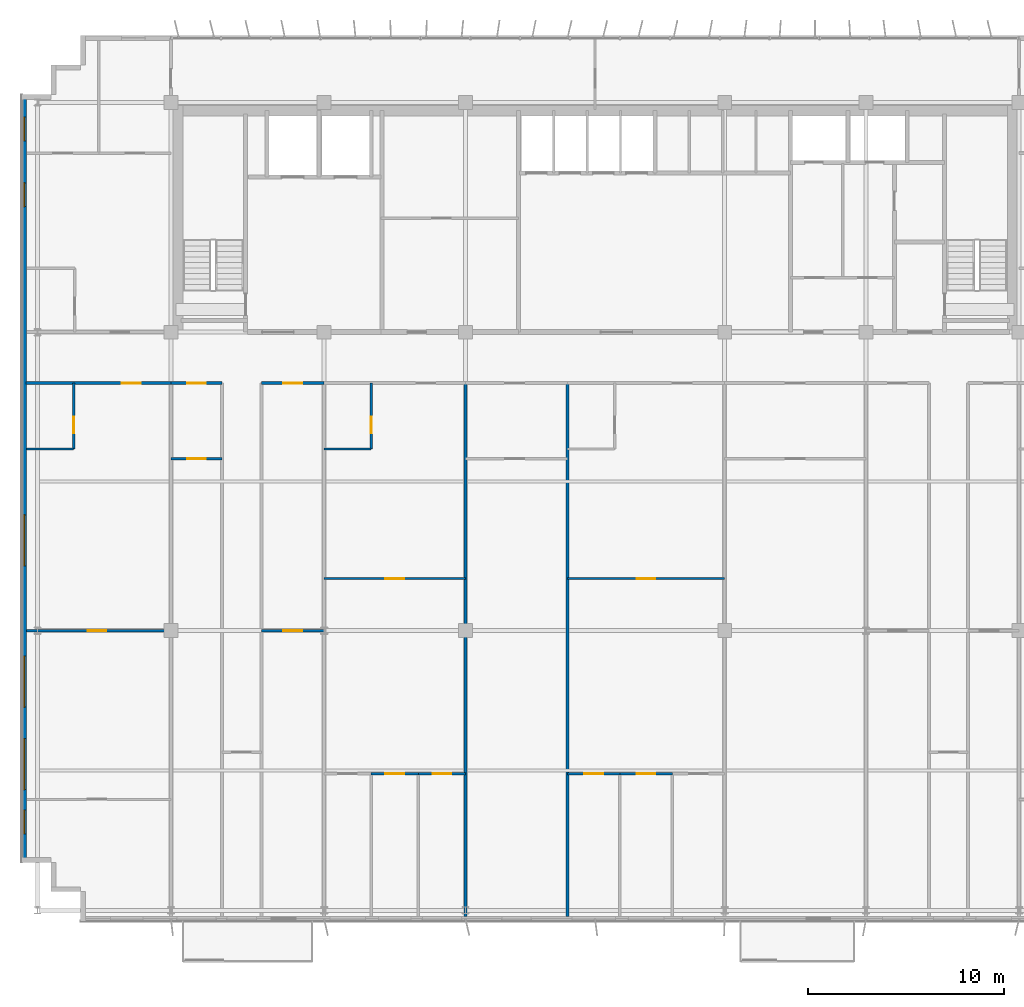
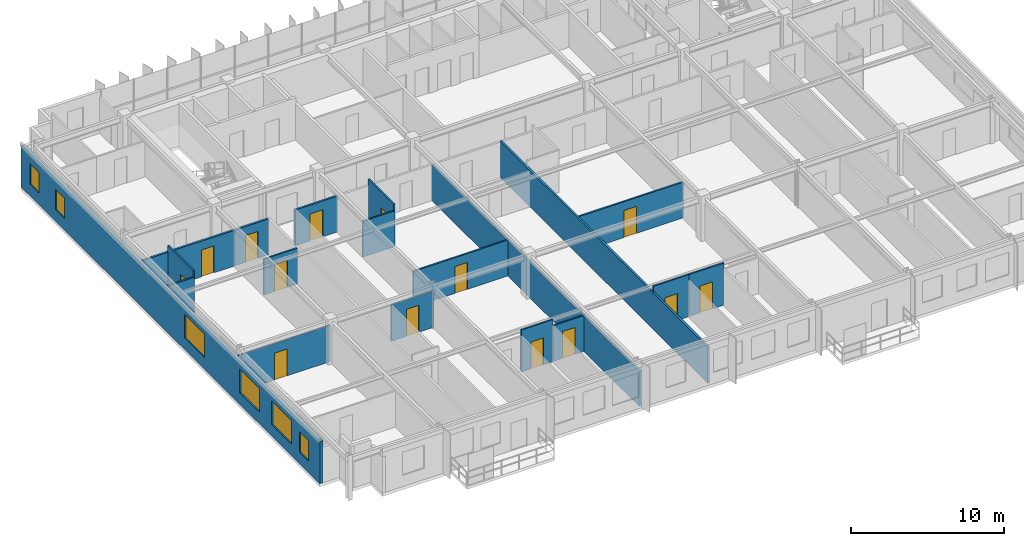
# One storey, part 17 of 23: 19 walls, 14 doors, 6 windows, 20 openings.
"""IFC4 building model written with IfcOpenShell, lengths in metres."""

import ifcopenshell
import ifcopenshell.guid

model = None  # the IFC model being written
_history = None  # IfcOwnerHistory: only IFC2X3 demands one
_inside = {}  # id of a spatial element -> (the spatial element, [elements in it])
_under = {}  # id of a project, library or spatial element -> (it, [spatial elements below it])
_declared = {}  # id of a project -> (the project, [libraries it declares])
_typed = {}  # id of a type object -> (the type object, [elements of that type])
_made_of = {}  # id of a material, layer set ... -> (it, [elements and type objects made of it])


def new_model(schema):
    """Start an empty IFC model of exactly this schema.

    Asked for "IFC4X3", IfcOpenShell would pick the latest addendum, in which some entities
    have other attributes; the version numbers below select the first issue.
    IFC2X3 requires an IfcOwnerHistory on every rooted entity: one is made here for all.
    """
    global model, _history
    if schema == "IFC4X3":
        model = ifcopenshell.file(schema_version=(4, 3, 0, 0))
    else:
        model = ifcopenshell.file(schema=schema)
    _inside.clear()
    _under.clear()
    _declared.clear()
    _typed.clear()
    _made_of.clear()
    _history = None
    if model.schema == "IFC2X3":
        org = make("IfcOrganization", Name="unknown")
        user = make(
            "IfcPersonAndOrganization",
            ThePerson=make("IfcPerson", FamilyName="unknown"),
            TheOrganization=org,
        )
        app = make(
            "IfcApplication",
            ApplicationDeveloper=org,
            Version="unknown",
            ApplicationFullName="unknown",
            ApplicationIdentifier="unknown",
        )
        _history = make(
            "IfcOwnerHistory",
            OwningUser=user,
            OwningApplication=app,
            ChangeAction="ADDED",
            CreationDate=0,
        )
    return model


def make(cls, **values):
    """One entity of the class cls with the attributes given. An attribute that is None is left unset."""
    return model.create_entity(
        cls, **{name: value for name, value in values.items() if value is not None}
    )


def rooted(cls, **values):
    """An entity with a GlobalId (a new one), such as an element, a storey or a relation."""
    return make(cls, GlobalId=ifcopenshell.guid.new(), OwnerHistory=_history, **values)


def si_unit(unit_type, name, prefix=None):
    """IfcSIUnit, for example si_unit("LENGTHUNIT", "METRE", prefix="MILLI")."""
    return make("IfcSIUnit", UnitType=unit_type, Prefix=prefix, Name=name)


def assignment(units):
    """IfcUnitAssignment: the units of a project."""
    return None if units is None else make("IfcUnitAssignment", Units=units)


def point(xyz):
    """IfcCartesianPoint."""
    return None if xyz is None else make("IfcCartesianPoint", Coordinates=xyz)


def direction(xyz):
    """IfcDirection."""
    return None if xyz is None else make("IfcDirection", DirectionRatios=xyz)


def frame(location, z_axis=None, x_axis=None):
    """IfcAxis2Placement3D, a coordinate frame: its origin and axes. An axis left out is left unset."""
    return make(
        "IfcAxis2Placement3D",
        Location=point(location),
        Axis=direction(z_axis),
        RefDirection=direction(x_axis),
    )


def frame_2d(location, x_axis=None):
    """IfcAxis2Placement2D, a coordinate frame in the plane: its origin and x axis."""
    return make(
        "IfcAxis2Placement2D", Location=point(location), RefDirection=direction(x_axis)
    )


def origin():
    """The frame at (0, 0, 0) with its axes left unset."""
    return frame((0.0, 0.0, 0.0))


def place(relative_to, where):
    """IfcLocalPlacement: puts the frame where relative to a parent placement (None: the world)."""
    return make(
        "IfcLocalPlacement", PlacementRelTo=relative_to, RelativePlacement=where
    )


def context(
    kind, dimensions, precision=None, world=None, true_north=None, identifier=None
):
    """IfcGeometricRepresentationContext, for example the 3D "Model" context."""
    return make(
        "IfcGeometricRepresentationContext",
        ContextIdentifier=identifier,
        ContextType=kind,
        CoordinateSpaceDimension=dimensions,
        Precision=precision,
        WorldCoordinateSystem=world,
        TrueNorth=true_north,
    )


def subcontext(parent, identifier, kind, view, scale=None):
    """IfcGeometricRepresentationSubContext, for example "Body" below "Model"."""
    return make(
        "IfcGeometricRepresentationSubContext",
        ContextIdentifier=identifier,
        ContextType=kind,
        ParentContext=parent,
        TargetScale=scale,
        TargetView=view,
    )


def project(units=None, contexts=None):
    """IfcProject with its units and contexts."""
    return rooted(
        "IfcProject",
        Name="project",
        RepresentationContexts=contexts,
        UnitsInContext=assignment(units),
    )


def spatial(cls, under=None, at=None, **own):
    """A site, building, storey or space (cls), placed at a placement, below another one or the project."""
    s = rooted(cls, ObjectPlacement=at, **own)
    if under is not None:
        _under.setdefault(under.id(), (under, []))[1].append(s)
    return s


def profile(cls, at=None, kind="AREA", **sizes):
    """A parametric profile (cls). Its sizes go by their IFC names, for example OverallWidth=200.0."""
    return make(cls, ProfileType=kind, Position=at, **sizes)


def rectangle(**sizes):
    """IfcRectangleProfileDef."""
    return profile("IfcRectangleProfileDef", **sizes)


def extrude(swept, where, along, depth):
    """IfcExtrudedAreaSolid: the profile swept, set in the frame where, extruded along a direction by depth."""
    return make(
        "IfcExtrudedAreaSolid",
        SweptArea=swept,
        Position=where,
        ExtrudedDirection=direction(along),
        Depth=depth,
    )


def shape(context_of_items, identifier, shape_type, items):
    """IfcShapeRepresentation: the items that make up one representation, for example the "Body"."""
    return make(
        "IfcShapeRepresentation",
        ContextOfItems=context_of_items,
        RepresentationIdentifier=identifier,
        RepresentationType=shape_type,
        Items=items,
    )


def source(mapping_origin, context_of_items, identifier, shape_type, items):
    """IfcRepresentationMap: a shape defined once, which mapped items show again and again."""
    return make(
        "IfcRepresentationMap",
        MappingOrigin=mapping_origin,
        MappedRepresentation=shape(context_of_items, identifier, shape_type, items),
    )


def transform(
    local_origin,
    x_axis=None,
    y_axis=None,
    z_axis=None,
    scale=None,
    scale2=None,
    scale3=None,
    uniform=True,
):
    """IfcCartesianTransformationOperator3D, or its non-uniform kind. x_axis, y_axis, z_axis: its Axis1, 2, 3."""
    if uniform:
        return make(
            "IfcCartesianTransformationOperator3D",
            Axis1=direction(x_axis),
            Axis2=direction(y_axis),
            LocalOrigin=point(local_origin),
            Scale=scale,
            Axis3=direction(z_axis),
        )
    return make(
        "IfcCartesianTransformationOperator3DnonUniform",
        Axis1=direction(x_axis),
        Axis2=direction(y_axis),
        LocalOrigin=point(local_origin),
        Scale=scale,
        Axis3=direction(z_axis),
        Scale2=scale2,
        Scale3=scale3,
    )


def mapped(mapping_source, mapping_target):
    """IfcMappedItem: shows the shape of a source again, moved by a transform."""
    return make(
        "IfcMappedItem", MappingSource=mapping_source, MappingTarget=mapping_target
    )


def material(Name=None, Category=None):
    """IfcMaterial."""
    return make("IfcMaterial", Name=Name, Category=Category)


def layer(
    of_material, thickness, ventilated=None, Name=None, Category=None, Priority=None
):
    """IfcMaterialLayer: one layer of a wall or slab, of a material (None: an air gap)."""
    return make(
        "IfcMaterialLayer",
        Material=of_material,
        LayerThickness=thickness,
        IsVentilated=ventilated,
        Name=Name,
        Category=Category,
        Priority=Priority,
    )


def layer_set(layers, Name=None):
    """IfcMaterialLayerSet."""
    return make("IfcMaterialLayerSet", MaterialLayers=layers, LayerSetName=Name)


def made_of(thing, what):
    """Note that an element or type object is made of a material, layer set ...; save() writes the relation."""
    if what is not None:
        _made_of.setdefault(what.id(), (what, []))[1].append(thing)
    return thing


def type_object(cls, material=None, **own):
    """A type object (cls), such as IfcWallType, which elements share."""
    return made_of(rooted(cls, **own), material)


def element(
    cls,
    number,
    at=None,
    inside=None,
    cuts=None,
    type_object=None,
    material=None,
    context=None,
    identifier="Body",
    shape_type=None,
    held_by="IfcProductDefinitionShape",
    body=None,
    shapes=None,
    **own,
):
    """One element of the class cls, such as IfcWall. Its Tag is "e" and its number.

    at: its placement. inside: the storey or other place that contains it. cuts: it is an
    opening in that element (IfcRelVoidsElement). A single representation is given by context,
    identifier, shape_type and body (its items); several are given by shapes. held_by: the class
    of the entity that holds the representations. save() writes the other relations.
    """
    e = rooted(cls, Tag="e%d" % number, ObjectPlacement=at, **own)
    if body is not None:
        shapes = [shape(context, identifier, shape_type, body)]
    if shapes is not None:
        e.Representation = make(held_by, Representations=shapes)
    if inside is not None:
        _inside.setdefault(inside.id(), (inside, []))[1].append(e)
    if cuts is not None:
        rooted(
            "IfcRelVoidsElement", RelatingBuildingElement=cuts, RelatedOpeningElement=e
        )
    if type_object is not None:
        _typed.setdefault(type_object.id(), (type_object, []))[1].append(e)
    return made_of(e, material)


def fill(opening, filler):
    """IfcRelFillsElement: the door or window that sits in an opening."""
    return rooted(
        "IfcRelFillsElement",
        RelatingOpeningElement=opening,
        RelatedBuildingElement=filler,
    )


def aggregate(whole, parts):
    """IfcRelAggregates: a whole, such as a stair, and the parts it consists of."""
    return rooted("IfcRelAggregates", RelatingObject=whole, RelatedObjects=parts)


def save(model, path):
    """Write the relations noted so far, then the file.

    IfcRelAggregates (storeys below a building ...), IfcRelContainedInSpatialStructure (elements
    in a storey), IfcRelDefinesByType, IfcRelAssociatesMaterial and IfcRelDeclares: one each for
    every whole, place, type object, material and project.
    """
    for whole, parts in _under.values():
        aggregate(whole, parts)
    for where, things in _inside.values():
        rooted(
            "IfcRelContainedInSpatialStructure",
            RelatedElements=things,
            RelatingStructure=where,
        )
    for kind, things in _typed.values():
        rooted("IfcRelDefinesByType", RelatedObjects=things, RelatingType=kind)
    for what, things in _made_of.values():
        rooted("IfcRelAssociatesMaterial", RelatedObjects=things, RelatingMaterial=what)
    for by, libraries in _declared.values():
        rooted("IfcRelDeclares", RelatingContext=by, RelatedDefinitions=libraries)
    model.write(path)


model = new_model("IFC4")

# Units and contexts
model_context = context("Model", 3, precision=1e-05, world=origin(), true_north=direction((0.0, 1.0)))
body_context = subcontext(model_context, "Body", "Model", "MODEL_VIEW")
ifc_project = project(units=[si_unit("LENGTHUNIT", "METRE"), si_unit("AREAUNIT", "SQUARE_METRE"), si_unit("VOLUMEUNIT", "CUBIC_METRE"), si_unit("PLANEANGLEUNIT", "RADIAN"), si_unit("MASSUNIT", "GRAM", prefix="KILO")], contexts=[model_context])

# Site, building, storey
site_placement = place(None, origin())
site = spatial("IfcSite", under=ifc_project, at=site_placement, CompositionType="ELEMENT")
building_placement = place(site_placement, origin())
building = spatial("IfcBuilding", under=site, at=building_placement, Name="Trelvane Seafront Commons", CompositionType="ELEMENT")
storey_placement = place(building_placement, frame((0.0, 0.0, 208.5)))
storey = spatial("IfcBuildingStorey", under=building, at=storey_placement, Name="L54", CompositionType="ELEMENT", Elevation=208.5)

# Wall, openings, windows
ifc_material_1 = material(Name="Precast concrete C40/50", Category="concrete")
ifc_layer_1 = layer(ifc_material_1, 0.239990234375, Name="ARCH-WALL-EXT240")
ifc_layer_set_1 = layer_set([ifc_layer_1], Name="Precast concrete C40/50")
wall_type_1 = type_object("IfcWallType", Name="ARCH-WALL-EXT240", PredefinedType="SOLIDWALL", material=ifc_layer_set_1)
wall_1_placement = place(storey_placement, frame((8.1201171875, 6.39990234375, 0.0), z_axis=(0.0, 0.0, 1.0), x_axis=(0.0, 1.0, 0.0)))
wall_1 = element("IfcWall", 1, at=wall_1_placement, inside=storey, type_object=wall_type_1, Name="EW-L54-01083", PredefinedType="SOLIDWALL", context=body_context, shape_type="SweptSolid", body=[
    extrude(rectangle(XDim=39.10009765625, YDim=0.239990234375, at=frame_2d((19.550048828125, 0.0))), origin(), (0.0, 0.0, 1.0), 3.360107421875),
])
opening_1_placement = place(wall_1_placement, frame((1.449951171875, 0.0, 0.919921875)))
opening_1 = element("IfcOpeningElement", 2, at=opening_1_placement, cuts=wall_1, Name="Opening W05", PredefinedType="OPENING", context=body_context, shape_type="SweptSolid", body=[
    extrude(rectangle(XDim=1.199951171875, YDim=1.64990234375, at=frame_2d((0.60009765625, 0.824951171875))), frame((0.0, 0.1298828125, 0.0), z_axis=(0.0, -1.0, 0.0), x_axis=(1.0, 0.0, 0.0)), (0.0, 0.0, 1.0), 0.260009765625),
])
opening_2_placement = place(wall_1_placement, frame((3.699951171875, 0.0, 0.919921875)))
opening_2 = element("IfcOpeningElement", 3, at=opening_2_placement, cuts=wall_1, Name="Opening W04", PredefinedType="OPENING", context=body_context, shape_type="SweptSolid", body=[
    extrude(rectangle(XDim=2.60009765625, YDim=1.89990234375, at=frame_2d((1.300048828125, 0.949951171875))), frame((0.0, 0.1298828125, 0.0), z_axis=(0.0, -1.0, 0.0), x_axis=(1.0, 0.0, 0.0)), (0.0, 0.0, 1.0), 0.260009765625),
])
opening_3_placement = place(wall_1_placement, frame((7.89990234375, 0.0, 0.919921875)))
opening_3 = element("IfcOpeningElement", 4, at=opening_3_placement, cuts=wall_1, Name="Opening W04", PredefinedType="OPENING", context=body_context, shape_type="SweptSolid", body=[
    extrude(rectangle(XDim=2.60009765625, YDim=1.89990234375, at=frame_2d((1.300048828125, 0.949951171875))), frame((0.0, 0.1298828125, 0.0), z_axis=(0.0, -1.0, 0.0), x_axis=(1.0, 0.0, 0.0)), (0.0, 0.0, 1.0), 0.260009765625),
])
opening_4_placement = place(wall_1_placement, frame((15.10009765625, 0.0, 0.919921875)))
opening_4 = element("IfcOpeningElement", 5, at=opening_4_placement, cuts=wall_1, Name="Opening W04", PredefinedType="OPENING", context=body_context, shape_type="SweptSolid", body=[
    extrude(rectangle(XDim=2.60009765625, YDim=1.89990234375, at=frame_2d((1.300048828125, 0.949951171875))), frame((0.0, 0.1298828125, 0.0), z_axis=(0.0, -1.0, 0.0), x_axis=(1.0, 0.0, 0.0)), (0.0, 0.0, 1.0), 0.260009765625),
])
opening_5_placement = place(wall_1_placement, frame((33.39990234375, 0.0, 0.919921875)))
opening_5 = element("IfcOpeningElement", 6, at=opening_5_placement, cuts=wall_1, Name="Opening W05", PredefinedType="OPENING", context=body_context, shape_type="SweptSolid", body=[
    extrude(rectangle(XDim=1.199951171875, YDim=1.64990234375, at=frame_2d((0.60009765625, 0.824951171875))), frame((0.0, 0.1298828125, 0.0), z_axis=(0.0, -1.0, 0.0), x_axis=(1.0, 0.0, 0.0)), (0.0, 0.0, 1.0), 0.260009765625),
])
opening_6_placement = place(wall_1_placement, frame((36.75, 0.0, 0.919921875)))
opening_6 = element("IfcOpeningElement", 7, at=opening_6_placement, cuts=wall_1, Name="Opening W05", PredefinedType="OPENING", context=body_context, shape_type="SweptSolid", body=[
    extrude(rectangle(XDim=1.199951171875, YDim=1.64990234375, at=frame_2d((0.60009765625, 0.824951171875))), frame((0.0, 0.1298828125, 0.0), z_axis=(0.0, -1.0, 0.0), x_axis=(1.0, 0.0, 0.0)), (0.0, 0.0, 1.0), 0.260009765625),
])
ifc_material_2 = material(Name="Low-E coastal double glazing", Category="glass")
window_type_1 = type_object("IfcWindowType", Name="ARCH-WIN-W04", PartitioningType="SINGLE_PANEL", PredefinedType="WINDOW", material=ifc_material_2)
shared_shape_1 = source(origin(), body_context, "Body", "SweptSolid", [
    extrude(rectangle(XDim=2.60009765625, YDim=1.89990234375, at=frame_2d((1.300048828125, 0.949951171875))), frame((0.0, 0.030029296875, 0.0), z_axis=(0.0, -1.0, 0.0), x_axis=(1.0, 0.0, 0.0)), (0.0, 0.0, 1.0), 0.06005859375),
])
window_1_placement = place(opening_2_placement, origin())
window_1 = element("IfcWindow", 8, at=window_1_placement, inside=storey, type_object=window_type_1, Name="WIN-L54-EW-01303", OverallHeight=1.89990234375, OverallWidth=2.60009765625, PartitioningType="SINGLE_PANEL", PredefinedType="WINDOW", context=body_context, shape_type="MappedRepresentation", body=[
    mapped(shared_shape_1, transform((0.0, 0.0, 0.0), x_axis=(1.0, 0.0, 0.0), y_axis=(0.0, 1.0, 0.0), z_axis=(0.0, 0.0, 1.0), scale=1.0)),
])
fill(opening_2, window_1)
window_2_placement = place(opening_3_placement, origin())
window_2 = element("IfcWindow", 9, at=window_2_placement, inside=storey, type_object=window_type_1, Name="WIN-L54-EW-01304", OverallHeight=1.89990234375, OverallWidth=2.60009765625, PartitioningType="SINGLE_PANEL", PredefinedType="WINDOW", context=body_context, shape_type="MappedRepresentation", body=[
    mapped(shared_shape_1, transform((0.0, 0.0, 0.0), x_axis=(1.0, 0.0, 0.0), y_axis=(0.0, 1.0, 0.0), z_axis=(0.0, 0.0, 1.0), scale=1.0)),
])
fill(opening_3, window_2)
window_3_placement = place(opening_4_placement, origin())
window_3 = element("IfcWindow", 10, at=window_3_placement, inside=storey, type_object=window_type_1, Name="WIN-L54-EW-01305", OverallHeight=1.89990234375, OverallWidth=2.60009765625, PartitioningType="SINGLE_PANEL", PredefinedType="WINDOW", context=body_context, shape_type="MappedRepresentation", body=[
    mapped(shared_shape_1, transform((0.0, 0.0, 0.0), x_axis=(1.0, 0.0, 0.0), y_axis=(0.0, 1.0, 0.0), z_axis=(0.0, 0.0, 1.0), scale=1.0)),
])
fill(opening_4, window_3)
window_type_2 = type_object("IfcWindowType", Name="ARCH-WIN-W05", PartitioningType="SINGLE_PANEL", PredefinedType="WINDOW", material=ifc_material_2)
shared_shape_2 = source(origin(), body_context, "Body", "SweptSolid", [
    extrude(rectangle(XDim=1.199951171875, YDim=1.64990234375, at=frame_2d((0.60009765625, 0.824951171875))), frame((0.0, 0.030029296875, 0.0), z_axis=(0.0, -1.0, 0.0), x_axis=(1.0, 0.0, 0.0)), (0.0, 0.0, 1.0), 0.06005859375),
])
window_4_placement = place(opening_1_placement, origin())
window_4 = element("IfcWindow", 11, at=window_4_placement, inside=storey, type_object=window_type_2, Name="WIN-L54-EW-01302", OverallHeight=1.64990234375, OverallWidth=1.199951171875, PartitioningType="SINGLE_PANEL", PredefinedType="WINDOW", context=body_context, shape_type="MappedRepresentation", body=[
    mapped(shared_shape_2, transform((0.0, 0.0, 0.0), x_axis=(1.0, 0.0, 0.0), y_axis=(0.0, 1.0, 0.0), z_axis=(0.0, 0.0, 1.0), scale=1.0)),
])
fill(opening_1, window_4)
window_5_placement = place(opening_5_placement, origin())
window_5 = element("IfcWindow", 12, at=window_5_placement, inside=storey, type_object=window_type_2, Name="WIN-L54-EW-01306", OverallHeight=1.64990234375, OverallWidth=1.199951171875, PartitioningType="SINGLE_PANEL", PredefinedType="WINDOW", context=body_context, shape_type="MappedRepresentation", body=[
    mapped(shared_shape_2, transform((0.0, 0.0, 0.0), x_axis=(1.0, 0.0, 0.0), y_axis=(0.0, 1.0, 0.0), z_axis=(0.0, 0.0, 1.0), scale=1.0)),
])
fill(opening_5, window_5)
window_6_placement = place(opening_6_placement, origin())
window_6 = element("IfcWindow", 13, at=window_6_placement, inside=storey, type_object=window_type_2, Name="WIN-L54-EW-01307", OverallHeight=1.64990234375, OverallWidth=1.199951171875, PartitioningType="SINGLE_PANEL", PredefinedType="WINDOW", context=body_context, shape_type="MappedRepresentation", body=[
    mapped(shared_shape_2, transform((0.0, 0.0, 0.0), x_axis=(1.0, 0.0, 0.0), y_axis=(0.0, 1.0, 0.0), z_axis=(0.0, 0.0, 1.0), scale=1.0)),
])
fill(opening_6, window_6)

# Wall, opening, door
ifc_material_3 = material(Name="Gypsum Drywall Acoustic Partition")
ifc_layer_2 = layer(ifc_material_3, 0.1201171875, Name="ARCH-WALL-PART120")
ifc_layer_set_2 = layer_set([ifc_layer_2], Name="Gypsum Drywall Acoustic Partition")
wall_type_2 = type_object("IfcWallType", Name="ARCH-WALL-PART120", PredefinedType="PARTITIONING", material=ifc_layer_set_2)
wall_2_placement = place(storey_placement, frame((8.239990234375, 18.199951171875, 0.0), z_axis=(0.0, 0.0, 1.0), x_axis=(1.0, 0.0, 0.0)))
wall_2 = element("IfcWall", 14, at=wall_2_placement, inside=storey, type_object=wall_type_2, Name="W-L54-U1-KL-058", PredefinedType="PARTITIONING", context=body_context, shape_type="SweptSolid", body=[
    extrude(rectangle(XDim=7.360107421875, YDim=0.1201171875, at=frame_2d((3.68017578125, 0.0))), origin(), (0.0, 0.0, 1.0), 2.909912109375),
])
opening_7_placement = place(wall_2_placement, frame((3.114013671875, 0.0, 0.0)))
opening_7 = element("IfcOpeningElement", 15, at=opening_7_placement, cuts=wall_2, Name="Opening D-L54-31", PredefinedType="OPENING", context=body_context, shape_type="SweptSolid", body=[
    extrude(rectangle(XDim=0.949951171875, YDim=2.14990234375, at=frame_2d((0.47509765625, 1.074951171875))), frame((0.0, 0.070068359375, 0.0), z_axis=(0.0, -1.0, 0.0), x_axis=(1.0, 0.0, 0.0)), (0.0, 0.0, 1.0), 0.14013671875),
])
ifc_material_4 = material(Name="Acoustic timber door leaf", Category="wood")
door_type_1 = type_object("IfcDoorType", Name="ARCH-DR-INT950", OperationType="NOTDEFINED", PredefinedType="DOOR", material=ifc_material_4)
shared_shape_3 = source(origin(), body_context, "Body", "SweptSolid", [
    extrude(rectangle(XDim=0.949951171875, YDim=2.14990234375, at=frame_2d((0.47509765625, 1.074951171875))), frame((0.0, 0.02490234375, 0.0), z_axis=(0.0, -1.0, 0.0), x_axis=(1.0, 0.0, 0.0)), (0.0, 0.0, 1.0), 0.050048828125),
])
door_1_placement = place(opening_7_placement, origin())
door_1 = element("IfcDoor", 16, at=door_1_placement, inside=storey, type_object=door_type_1, Name="L54 Door 31", OperationType="SINGLE_SWING_LEFT", OverallHeight=2.14990234375, OverallWidth=0.949951171875, PredefinedType="DOOR", context=body_context, shape_type="MappedRepresentation", body=[
    mapped(shared_shape_3, transform((0.0, 0.0, 0.0), x_axis=(1.0, 0.0, 0.0), y_axis=(0.0, 1.0, 0.0), z_axis=(0.0, 0.0, 1.0), scale=1.0)),
])
fill(opening_7, door_1)

wall_3_placement = place(storey_placement, frame((10.639892578125, 27.449951171875, 0.0), z_axis=(0.0, 0.0, 1.0), x_axis=(0.0, 1.0, 0.0)))
wall_3 = element("IfcWall", 17, at=wall_3_placement, inside=storey, type_object=wall_type_2, Name="W-L54-U1-BE-059", PredefinedType="PARTITIONING", context=body_context, shape_type="SweptSolid", body=[
    extrude(rectangle(XDim=3.35009765625, YDim=0.1201171875, at=frame_2d((1.675048828125, 0.0))), origin(), (0.0, 0.0, 1.0), 3.360107421875),
])
opening_8_placement = place(wall_3_placement, frame((0.800048828125, 0.0, 0.0)))
opening_8 = element("IfcOpeningElement", 18, at=opening_8_placement, cuts=wall_3, Name="Opening D-L54-32", PredefinedType="OPENING", context=body_context, shape_type="SweptSolid", body=[
    extrude(rectangle(XDim=0.85009765625, YDim=2.10009765625, at=frame_2d((0.425048828125, 1.050048828125))), frame((0.0, 0.070068359375, 0.0), z_axis=(0.0, -1.0, 0.0), x_axis=(1.0, 0.0, 0.0)), (0.0, 0.0, 1.0), 0.14013671875),
])
door_type_2 = type_object("IfcDoorType", Name="ARCH-DR-INT850", OperationType="NOTDEFINED", PredefinedType="DOOR", material=ifc_material_4)
shared_shape_4 = source(origin(), body_context, "Body", "SweptSolid", [
    extrude(rectangle(XDim=0.85009765625, YDim=2.10009765625, at=frame_2d((0.425048828125, 1.050048828125))), frame((0.0, 0.02490234375, 0.0), z_axis=(0.0, -1.0, 0.0), x_axis=(1.0, 0.0, 0.0)), (0.0, 0.0, 1.0), 0.050048828125),
])
door_2_placement = place(opening_8_placement, origin())
door_2 = element("IfcDoor", 19, at=door_2_placement, inside=storey, type_object=door_type_2, Name="L54 Door 32", OperationType="SINGLE_SWING_RIGHT", OverallHeight=2.10009765625, OverallWidth=0.85009765625, PredefinedType="DOOR", context=body_context, shape_type="MappedRepresentation", body=[
    mapped(shared_shape_4, transform((0.0, 0.0, 0.0), x_axis=(1.0, 0.0, 0.0), y_axis=(0.0, 1.0, 0.0), z_axis=(0.0, 0.0, 1.0), scale=1.0)),
])
fill(opening_8, door_2)

# Wall
wall_4_placement = place(storey_placement, frame((8.239990234375, 27.449951171875, 0.0), z_axis=(0.0, 0.0, 1.0), x_axis=(1.0, 0.0, 0.0)))
element("IfcWall", 20, at=wall_4_placement, inside=storey, type_object=wall_type_2, Name="W-L54-U1-BS-060", PredefinedType="PARTITIONING", context=body_context, shape_type="SweptSolid", body=[
    extrude(rectangle(XDim=2.39990234375, YDim=0.1201171875, at=frame_2d((1.199951171875, 0.0))), origin(), (0.0, 0.0, 1.0), 2.860107421875),
])

# Wall, opening, door
wall_5_placement = place(storey_placement, frame((15.60009765625, 26.949951171875, 0.0), z_axis=(0.0, 0.0, 1.0), x_axis=(1.0, 0.0, 0.0)))
wall_5 = element("IfcWall", 21, at=wall_5_placement, inside=storey, type_object=wall_type_2, Name="W-L54-U2-DIV-064", PredefinedType="PARTITIONING", context=body_context, shape_type="SweptSolid", body=[
    extrude(rectangle(XDim=2.599853515625, YDim=0.1201171875, at=frame_2d((1.2998046875, 0.0))), origin(), (0.0, 0.0, 1.0), 2.860107421875),
])
opening_9_placement = place(wall_5_placement, frame((0.824951171875, 0.0, 0.0)))
opening_9 = element("IfcOpeningElement", 22, at=opening_9_placement, cuts=wall_5, Name="Opening D-L54-36", PredefinedType="OPENING", context=body_context, shape_type="SweptSolid", body=[
    extrude(rectangle(XDim=0.949951171875, YDim=2.14990234375, at=frame_2d((0.47509765625, 1.074951171875))), frame((0.0, 0.070068359375, 0.0), z_axis=(0.0, -1.0, 0.0), x_axis=(1.0, 0.0, 0.0)), (0.0, 0.0, 1.0), 0.14013671875),
])
door_3_placement = place(opening_9_placement, origin())
door_3 = element("IfcDoor", 23, at=door_3_placement, inside=storey, type_object=door_type_1, Name="L54 Door 36", OperationType="SINGLE_SWING_RIGHT", OverallHeight=2.14990234375, OverallWidth=0.949951171875, PredefinedType="DOOR", context=body_context, shape_type="MappedRepresentation", body=[
    mapped(shared_shape_3, transform((0.0, 0.0, 0.0), x_axis=(1.0, 0.0, 0.0), y_axis=(0.0, 1.0, 0.0), z_axis=(0.0, 0.0, 1.0), scale=1.0)),
])
fill(opening_9, door_3)

wall_6_placement = place(storey_placement, frame((20.199951171875, 18.199951171875, 0.0), z_axis=(0.0, 0.0, 1.0), x_axis=(1.0, 0.0, 0.0)))
wall_6 = element("IfcWall", 24, at=wall_6_placement, inside=storey, type_object=wall_type_2, Name="W-L54-U4-DIV-069", PredefinedType="PARTITIONING", context=body_context, shape_type="SweptSolid", body=[
    extrude(rectangle(XDim=3.199951171875, YDim=0.1201171875, at=frame_2d((1.60009765625, 0.0))), origin(), (0.0, 0.0, 1.0), 2.909912109375),
])
opening_10_placement = place(wall_6_placement, frame((1.125, 0.0, 0.0)))
opening_10 = element("IfcOpeningElement", 25, at=opening_10_placement, cuts=wall_6, Name="Opening D-L54-39", PredefinedType="OPENING", context=body_context, shape_type="SweptSolid", body=[
    extrude(rectangle(XDim=0.949951171875, YDim=2.14990234375, at=frame_2d((0.47509765625, 1.074951171875))), frame((0.0, 0.070068359375, 0.0), z_axis=(0.0, -1.0, 0.0), x_axis=(1.0, 0.0, 0.0)), (0.0, 0.0, 1.0), 0.14013671875),
])
door_4_placement = place(opening_10_placement, origin())
door_4 = element("IfcDoor", 26, at=door_4_placement, inside=storey, type_object=door_type_1, Name="L54 Door 39", OperationType="SINGLE_SWING_LEFT", OverallHeight=2.14990234375, OverallWidth=0.949951171875, PredefinedType="DOOR", context=body_context, shape_type="MappedRepresentation", body=[
    mapped(shared_shape_3, transform((0.0, 0.0, 0.0), x_axis=(1.0, 0.0, 0.0), y_axis=(0.0, 1.0, 0.0), z_axis=(0.0, 0.0, 1.0), scale=1.0)),
])
fill(opening_10, door_4)

wall_7_placement = place(storey_placement, frame((23.39990234375, 20.85009765625, 0.0), z_axis=(0.0, 0.0, 1.0), x_axis=(1.0, 0.0, 0.0)))
wall_7 = element("IfcWall", 27, at=wall_7_placement, inside=storey, type_object=wall_type_2, Name="W-L54-U5-KL-070", PredefinedType="PARTITIONING", context=body_context, shape_type="SweptSolid", body=[
    extrude(rectangle(XDim=7.2001953125, YDim=0.1201171875, at=frame_2d((3.60009765625, 0.0))), origin(), (0.0, 0.0, 1.0), 2.860107421875),
])
opening_11_placement = place(wall_7_placement, frame((3.125, 0.0, 0.0)))
opening_11 = element("IfcOpeningElement", 28, at=opening_11_placement, cuts=wall_7, Name="Opening D-L54-40", PredefinedType="OPENING", context=body_context, shape_type="SweptSolid", body=[
    extrude(rectangle(XDim=0.949951171875, YDim=2.14990234375, at=frame_2d((0.47509765625, 1.074951171875))), frame((0.0, 0.070068359375, 0.0), z_axis=(0.0, -1.0, 0.0), x_axis=(1.0, 0.0, 0.0)), (0.0, 0.0, 1.0), 0.14013671875),
])
door_5_placement = place(opening_11_placement, origin())
door_5 = element("IfcDoor", 29, at=door_5_placement, inside=storey, type_object=door_type_1, Name="L54 Door 40", OperationType="SINGLE_SWING_RIGHT", OverallHeight=2.14990234375, OverallWidth=0.949951171875, PredefinedType="DOOR", context=body_context, shape_type="MappedRepresentation", body=[
    mapped(shared_shape_3, transform((0.0, 0.0, 0.0), x_axis=(1.0, 0.0, 0.0), y_axis=(0.0, 1.0, 0.0), z_axis=(0.0, 0.0, 1.0), scale=1.0)),
])
fill(opening_11, door_5)

wall_8_placement = place(storey_placement, frame((25.800048828125, 27.449951171875, 0.0), z_axis=(0.0, 0.0, 1.0), x_axis=(0.0, 1.0, 0.0)))
wall_8 = element("IfcWall", 30, at=wall_8_placement, inside=storey, type_object=wall_type_2, Name="W-L54-U5-BE-071", PredefinedType="PARTITIONING", context=body_context, shape_type="SweptSolid", body=[
    extrude(rectangle(XDim=3.35009765625, YDim=0.1201171875, at=frame_2d((1.675048828125, 0.0))), origin(), (0.0, 0.0, 1.0), 3.360107421875),
])
opening_12_placement = place(wall_8_placement, frame((0.800048828125, 0.0, 0.0)))
opening_12 = element("IfcOpeningElement", 31, at=opening_12_placement, cuts=wall_8, Name="Opening D-L54-41", PredefinedType="OPENING", context=body_context, shape_type="SweptSolid", body=[
    extrude(rectangle(XDim=0.85009765625, YDim=2.10009765625, at=frame_2d((0.425048828125, 1.050048828125))), frame((0.0, 0.070068359375, 0.0), z_axis=(0.0, -1.0, 0.0), x_axis=(1.0, 0.0, 0.0)), (0.0, 0.0, 1.0), 0.14013671875),
])
door_6_placement = place(opening_12_placement, origin())
door_6 = element("IfcDoor", 32, at=door_6_placement, inside=storey, type_object=door_type_2, Name="L54 Door 41", OperationType="SINGLE_SWING_LEFT", OverallHeight=2.10009765625, OverallWidth=0.85009765625, PredefinedType="DOOR", context=body_context, shape_type="MappedRepresentation", body=[
    mapped(shared_shape_4, transform((0.0, 0.0, 0.0), x_axis=(1.0, 0.0, 0.0), y_axis=(0.0, 1.0, 0.0), z_axis=(0.0, 0.0, 1.0), scale=1.0)),
])
fill(opening_12, door_6)

# Wall
wall_9_placement = place(storey_placement, frame((23.39990234375, 27.449951171875, 0.0), z_axis=(0.0, 0.0, 1.0), x_axis=(1.0, 0.0, 0.0)))
element("IfcWall", 33, at=wall_9_placement, inside=storey, type_object=wall_type_2, Name="W-L54-U5-BS-072", PredefinedType="PARTITIONING", context=body_context, shape_type="SweptSolid", body=[
    extrude(rectangle(XDim=2.400146484375, YDim=0.1201171875, at=frame_2d((1.2001953125, 0.0))), origin(), (0.0, 0.0, 1.0), 2.860107421875),
])

# Wall, opening, door
wall_10_placement = place(storey_placement, frame((25.800048828125, 10.89990234375, 0.0), z_axis=(0.0, 0.0, 1.0), x_axis=(1.0, 0.0, 0.0)))
wall_10 = element("IfcWall", 34, at=wall_10_placement, inside=storey, type_object=wall_type_2, Name="W-L54-U5-YM-2-075", PredefinedType="PARTITIONING", context=body_context, shape_type="SweptSolid", body=[
    extrude(rectangle(XDim=2.39990234375, YDim=0.1201171875, at=frame_2d((1.199951171875, 0.0))), origin(), (0.0, 0.0, 1.0), 3.360107421875),
])
opening_13_placement = place(wall_10_placement, frame((0.72509765625, 0.0, 0.0)))
opening_13 = element("IfcOpeningElement", 35, at=opening_13_placement, cuts=wall_10, Name="Opening D-L54-44", PredefinedType="OPENING", context=body_context, shape_type="SweptSolid", body=[
    extrude(rectangle(XDim=0.949951171875, YDim=2.14990234375, at=frame_2d((0.47509765625, 1.074951171875))), frame((0.0, 0.070068359375, 0.0), z_axis=(0.0, -1.0, 0.0), x_axis=(1.0, 0.0, 0.0)), (0.0, 0.0, 1.0), 0.14013671875),
])
door_7_placement = place(opening_13_placement, origin())
door_7 = element("IfcDoor", 36, at=door_7_placement, inside=storey, type_object=door_type_1, Name="L54 Door 44", OperationType="SINGLE_SWING_RIGHT", OverallHeight=2.14990234375, OverallWidth=0.949951171875, PredefinedType="DOOR", context=body_context, shape_type="MappedRepresentation", body=[
    mapped(shared_shape_3, transform((0.0, 0.0, 0.0), x_axis=(1.0, 0.0, 0.0), y_axis=(0.0, 1.0, 0.0), z_axis=(0.0, 0.0, 1.0), scale=1.0)),
])
fill(opening_13, door_7)

wall_11_placement = place(storey_placement, frame((28.199951171875, 10.89990234375, 0.0), z_axis=(0.0, 0.0, 1.0), x_axis=(1.0, 0.0, 0.0)))
wall_11 = element("IfcWall", 37, at=wall_11_placement, inside=storey, type_object=wall_type_2, Name="W-L54-U5-YM-3-077", PredefinedType="PARTITIONING", context=body_context, shape_type="SweptSolid", body=[
    extrude(rectangle(XDim=2.400146484375, YDim=0.1201171875, at=frame_2d((1.2001953125, 0.0))), origin(), (0.0, 0.0, 1.0), 2.860107421875),
])
opening_14_placement = place(wall_11_placement, frame((0.72509765625, 0.0, 0.0)))
opening_14 = element("IfcOpeningElement", 38, at=opening_14_placement, cuts=wall_11, Name="Opening D-L54-45", PredefinedType="OPENING", context=body_context, shape_type="SweptSolid", body=[
    extrude(rectangle(XDim=0.949951171875, YDim=2.14990234375, at=frame_2d((0.47509765625, 1.074951171875))), frame((0.0, 0.070068359375, 0.0), z_axis=(0.0, -1.0, 0.0), x_axis=(1.0, 0.0, 0.0)), (0.0, 0.0, 1.0), 0.14013671875),
])
door_8_placement = place(opening_14_placement, origin())
door_8 = element("IfcDoor", 39, at=door_8_placement, inside=storey, type_object=door_type_1, Name="L54 Door 45", OperationType="SINGLE_SWING_LEFT", OverallHeight=2.14990234375, OverallWidth=0.949951171875, PredefinedType="DOOR", context=body_context, shape_type="MappedRepresentation", body=[
    mapped(shared_shape_3, transform((0.0, 0.0, 0.0), x_axis=(1.0, 0.0, 0.0), y_axis=(0.0, 1.0, 0.0), z_axis=(0.0, 0.0, 1.0), scale=1.0)),
])
fill(opening_14, door_8)

wall_12_placement = place(storey_placement, frame((35.800048828125, 20.85009765625, 0.0), z_axis=(0.0, 0.0, 1.0), x_axis=(1.0, 0.0, 0.0)))
wall_12 = element("IfcWall", 40, at=wall_12_placement, inside=storey, type_object=wall_type_2, Name="W-L54-U7-KL-081", PredefinedType="PARTITIONING", context=body_context, shape_type="SweptSolid", body=[
    extrude(rectangle(XDim=8.0, YDim=0.1201171875, at=frame_2d((4.0, 0.0))), origin(), (0.0, 0.0, 1.0), 2.860107421875),
])
opening_15_placement = place(wall_12_placement, frame((3.52490234375, 0.0, 0.0)))
opening_15 = element("IfcOpeningElement", 41, at=opening_15_placement, cuts=wall_12, Name="Opening D-L54-48", PredefinedType="OPENING", context=body_context, shape_type="SweptSolid", body=[
    extrude(rectangle(XDim=0.949951171875, YDim=2.14990234375, at=frame_2d((0.47509765625, 1.074951171875))), frame((0.0, 0.070068359375, 0.0), z_axis=(0.0, -1.0, 0.0), x_axis=(1.0, 0.0, 0.0)), (0.0, 0.0, 1.0), 0.14013671875),
])
door_9_placement = place(opening_15_placement, origin())
door_9 = element("IfcDoor", 42, at=door_9_placement, inside=storey, type_object=door_type_1, Name="L54 Door 48", OperationType="SINGLE_SWING_RIGHT", OverallHeight=2.14990234375, OverallWidth=0.949951171875, PredefinedType="DOOR", context=body_context, shape_type="MappedRepresentation", body=[
    mapped(shared_shape_3, transform((0.0, 0.0, 0.0), x_axis=(1.0, 0.0, 0.0), y_axis=(0.0, 1.0, 0.0), z_axis=(0.0, 0.0, 1.0), scale=1.0)),
])
fill(opening_15, door_9)

wall_13_placement = place(storey_placement, frame((35.800048828125, 10.89990234375, 0.0), z_axis=(0.0, 0.0, 1.0), x_axis=(1.0, 0.0, 0.0)))
wall_13 = element("IfcWall", 43, at=wall_13_placement, inside=storey, type_object=wall_type_2, Name="W-L54-U7-YM-1-085", PredefinedType="PARTITIONING", context=body_context, shape_type="SweptSolid", body=[
    extrude(rectangle(XDim=2.6669921875, YDim=0.1201171875, at=frame_2d((1.33349609375, 0.0))), origin(), (0.0, 0.0, 1.0), 3.360107421875),
])
opening_16_placement = place(wall_13_placement, frame((0.85888671875, 0.0, 0.0)))
opening_16 = element("IfcOpeningElement", 44, at=opening_16_placement, cuts=wall_13, Name="Opening D-L54-51", PredefinedType="OPENING", context=body_context, shape_type="SweptSolid", body=[
    extrude(rectangle(XDim=0.949951171875, YDim=2.14990234375, at=frame_2d((0.47509765625, 1.074951171875))), frame((0.0, 0.070068359375, 0.0), z_axis=(0.0, -1.0, 0.0), x_axis=(1.0, 0.0, 0.0)), (0.0, 0.0, 1.0), 0.14013671875),
])
door_10_placement = place(opening_16_placement, origin())
door_10 = element("IfcDoor", 45, at=door_10_placement, inside=storey, type_object=door_type_1, Name="L54 Door 51", OperationType="SINGLE_SWING_LEFT", OverallHeight=2.14990234375, OverallWidth=0.949951171875, PredefinedType="DOOR", context=body_context, shape_type="MappedRepresentation", body=[
    mapped(shared_shape_3, transform((0.0, 0.0, 0.0), x_axis=(1.0, 0.0, 0.0), y_axis=(0.0, 1.0, 0.0), z_axis=(0.0, 0.0, 1.0), scale=1.0)),
])
fill(opening_16, door_10)

wall_14_placement = place(storey_placement, frame((38.467041015625, 10.89990234375, 0.0), z_axis=(0.0, 0.0, 1.0), x_axis=(1.0, 0.0, 0.0)))
wall_14 = element("IfcWall", 46, at=wall_14_placement, inside=storey, type_object=wall_type_2, Name="W-L54-U7-YM-2-086", PredefinedType="PARTITIONING", context=body_context, shape_type="SweptSolid", body=[
    extrude(rectangle(XDim=2.666015625, YDim=0.1201171875, at=frame_2d((1.3330078125, 0.0))), origin(), (0.0, 0.0, 1.0), 3.360107421875),
])
opening_17_placement = place(wall_14_placement, frame((0.85791015625, 0.0, 0.0)))
opening_17 = element("IfcOpeningElement", 47, at=opening_17_placement, cuts=wall_14, Name="Opening D-L54-52", PredefinedType="OPENING", context=body_context, shape_type="SweptSolid", body=[
    extrude(rectangle(XDim=0.949951171875, YDim=2.14990234375, at=frame_2d((0.47509765625, 1.074951171875))), frame((0.0, 0.070068359375, 0.0), z_axis=(0.0, -1.0, 0.0), x_axis=(1.0, 0.0, 0.0)), (0.0, 0.0, 1.0), 0.14013671875),
])
door_11_placement = place(opening_17_placement, origin())
door_11 = element("IfcDoor", 48, at=door_11_placement, inside=storey, type_object=door_type_1, Name="L54 Door 52", OperationType="SINGLE_SWING_RIGHT", OverallHeight=2.14990234375, OverallWidth=0.949951171875, PredefinedType="DOOR", context=body_context, shape_type="MappedRepresentation", body=[
    mapped(shared_shape_3, transform((0.0, 0.0, 0.0), x_axis=(1.0, 0.0, 0.0), y_axis=(0.0, 1.0, 0.0), z_axis=(0.0, 0.0, 1.0), scale=1.0)),
])
fill(opening_17, door_11)

# Walls
ifc_layer_3 = layer(ifc_material_3, 0.14990234375, Name="ARCH-WALL-PART150")
ifc_layer_set_3 = layer_set([ifc_layer_3], Name="Gypsum Drywall Acoustic Partition")
wall_type_3 = type_object("IfcWallType", Name="ARCH-WALL-PART150", PredefinedType="PARTITIONING", material=ifc_layer_set_3)
wall_15_placement = place(storey_placement, frame((30.60009765625, 3.625, 0.0), z_axis=(0.0, 0.0, 1.0), x_axis=(0.0, 1.0, 0.0)))
element("IfcWall", 49, at=wall_15_placement, inside=storey, type_object=wall_type_3, Name="W-L54-PW-5-053", PredefinedType="PARTITIONING", context=body_context, shape_type="SweptSolid", body=[
    extrude(rectangle(XDim=27.175048828125, YDim=0.14990234375, at=frame_2d((13.58740234375, 0.0))), origin(), (0.0, 0.0, 1.0), 2.860107421875),
])
wall_16_placement = place(storey_placement, frame((35.800048828125, 3.625, 0.0), z_axis=(0.0, 0.0, 1.0), x_axis=(0.0, 1.0, 0.0)))
element("IfcWall", 50, at=wall_16_placement, inside=storey, type_object=wall_type_3, Name="W-L54-PW-6-054", PredefinedType="PARTITIONING", context=body_context, shape_type="SweptSolid", body=[
    extrude(rectangle(XDim=27.175048828125, YDim=0.14990234375, at=frame_2d((13.58740234375, 0.0))), origin(), (0.0, 0.0, 1.0), 2.909912109375),
])

# Wall, opening, door
wall_17_placement = place(storey_placement, frame((8.22509765625, 30.800048828125, 0.0), z_axis=(0.0, 0.0, 1.0), x_axis=(1.0, 0.0, 0.0)))
wall_17 = element("IfcWall", 51, at=wall_17_placement, inside=storey, type_object=wall_type_3, Name="W-L54-CS-BAY-1-061", PredefinedType="PARTITIONING", context=body_context, shape_type="SweptSolid", body=[
    extrude(rectangle(XDim=7.375, YDim=0.14990234375, at=frame_2d((3.6875, 0.0))), origin(), (0.0, 0.0, 1.0), 2.860107421875),
])
opening_18_placement = place(wall_17_placement, frame((4.876953125, 0.0, 0.0)))
opening_18 = element("IfcOpeningElement", 52, at=opening_18_placement, cuts=wall_17, Name="Opening FD-L54-33", PredefinedType="OPENING", context=body_context, shape_type="SweptSolid", body=[
    extrude(rectangle(XDim=0.949951171875, YDim=2.14990234375, at=frame_2d((0.47509765625, 1.074951171875))), frame((0.0, 0.0849609375, 0.0), z_axis=(0.0, -1.0, 0.0), x_axis=(1.0, 0.0, 0.0)), (0.0, 0.0, 1.0), 0.169921875),
])
ifc_material_5 = material(Name="Powder-coated aluminium frame", Category="aluminium")
door_type_3 = type_object("IfcDoorType", Name="ARCH-DR-FD60-950", OperationType="NOTDEFINED", PredefinedType="DOOR", material=ifc_material_5)
door_12_placement = place(opening_18_placement, origin())
door_12 = element("IfcDoor", 53, at=door_12_placement, inside=storey, type_object=door_type_3, Name="L54 Unit 01 Entrance Door", OperationType="SINGLE_SWING_LEFT", OverallHeight=2.14990234375, OverallWidth=0.949951171875, PredefinedType="DOOR", context=body_context, shape_type="MappedRepresentation", body=[
    mapped(shared_shape_3, transform((0.0, 0.0, 0.0), x_axis=(1.0, 0.0, 0.0), y_axis=(0.0, 1.0, 0.0), z_axis=(0.0, 0.0, 1.0), scale=1.0)),
])
fill(opening_18, door_12)

wall_18_placement = place(storey_placement, frame((15.60009765625, 30.800048828125, 0.0), z_axis=(0.0, 0.0, 1.0), x_axis=(1.0, 0.0, 0.0)))
wall_18 = element("IfcWall", 54, at=wall_18_placement, inside=storey, type_object=wall_type_3, Name="W-L54-CS-BAY-2-063", PredefinedType="PARTITIONING", context=body_context, shape_type="SweptSolid", body=[
    extrude(rectangle(XDim=2.599853515625, YDim=0.14990234375, at=frame_2d((1.2998046875, 0.0))), origin(), (0.0, 0.0, 1.0), 2.860107421875),
])
opening_19_placement = place(wall_18_placement, frame((0.824951171875, 0.0, 0.0)))
opening_19 = element("IfcOpeningElement", 55, at=opening_19_placement, cuts=wall_18, Name="Opening FD-L54-35", PredefinedType="OPENING", context=body_context, shape_type="SweptSolid", body=[
    extrude(rectangle(XDim=0.949951171875, YDim=2.14990234375, at=frame_2d((0.47509765625, 1.074951171875))), frame((0.0, 0.0849609375, 0.0), z_axis=(0.0, -1.0, 0.0), x_axis=(1.0, 0.0, 0.0)), (0.0, 0.0, 1.0), 0.169921875),
])
door_13_placement = place(opening_19_placement, origin())
door_13 = element("IfcDoor", 56, at=door_13_placement, inside=storey, type_object=door_type_3, Name="L54 Bay 02 Entrance Door", OperationType="SINGLE_SWING_LEFT", OverallHeight=2.14990234375, OverallWidth=0.949951171875, PredefinedType="DOOR", context=body_context, shape_type="MappedRepresentation", body=[
    mapped(shared_shape_3, transform((0.0, 0.0, 0.0), x_axis=(1.0, 0.0, 0.0), y_axis=(0.0, 1.0, 0.0), z_axis=(0.0, 0.0, 1.0), scale=1.0)),
])
fill(opening_19, door_13)

wall_19_placement = place(storey_placement, frame((20.199951171875, 30.800048828125, 0.0), z_axis=(0.0, 0.0, 1.0), x_axis=(1.0, 0.0, 0.0)))
wall_19 = element("IfcWall", 57, at=wall_19_placement, inside=storey, type_object=wall_type_3, Name="W-L54-CS-BAY-4-068", PredefinedType="PARTITIONING", context=body_context, shape_type="SweptSolid", body=[
    extrude(rectangle(XDim=3.199951171875, YDim=0.14990234375, at=frame_2d((1.60009765625, 0.0))), origin(), (0.0, 0.0, 1.0), 2.860107421875),
])
opening_20_placement = place(wall_19_placement, frame((1.125, 0.0, 0.0)))
opening_20 = element("IfcOpeningElement", 58, at=opening_20_placement, cuts=wall_19, Name="Opening FD-L54-38", PredefinedType="OPENING", context=body_context, shape_type="SweptSolid", body=[
    extrude(rectangle(XDim=0.949951171875, YDim=2.14990234375, at=frame_2d((0.47509765625, 1.074951171875))), frame((0.0, 0.0849609375, 0.0), z_axis=(0.0, -1.0, 0.0), x_axis=(1.0, 0.0, 0.0)), (0.0, 0.0, 1.0), 0.169921875),
])
door_14_placement = place(opening_20_placement, origin())
door_14 = element("IfcDoor", 59, at=door_14_placement, inside=storey, type_object=door_type_3, Name="L54 Bay 04 Entrance Door", OperationType="SINGLE_SWING_RIGHT", OverallHeight=2.14990234375, OverallWidth=0.949951171875, PredefinedType="DOOR", context=body_context, shape_type="MappedRepresentation", body=[
    mapped(shared_shape_3, transform((0.0, 0.0, 0.0), x_axis=(1.0, 0.0, 0.0), y_axis=(0.0, 1.0, 0.0), z_axis=(0.0, 0.0, 1.0), scale=1.0)),
])
fill(opening_20, door_14)

save(model, "model.ifc")
